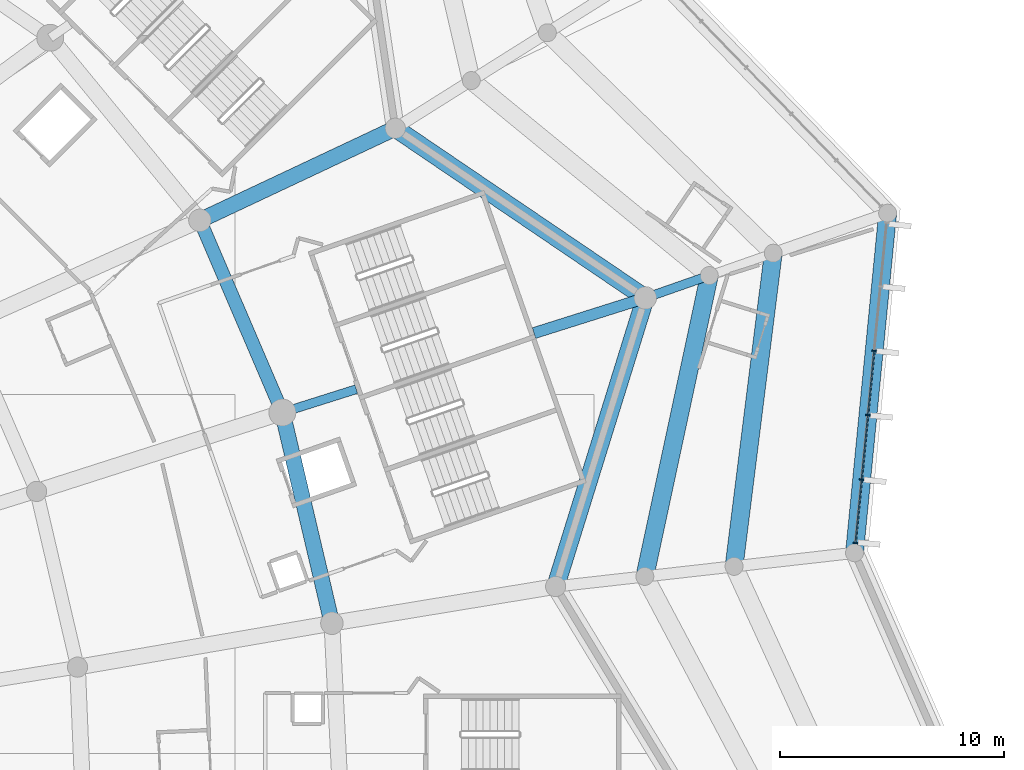
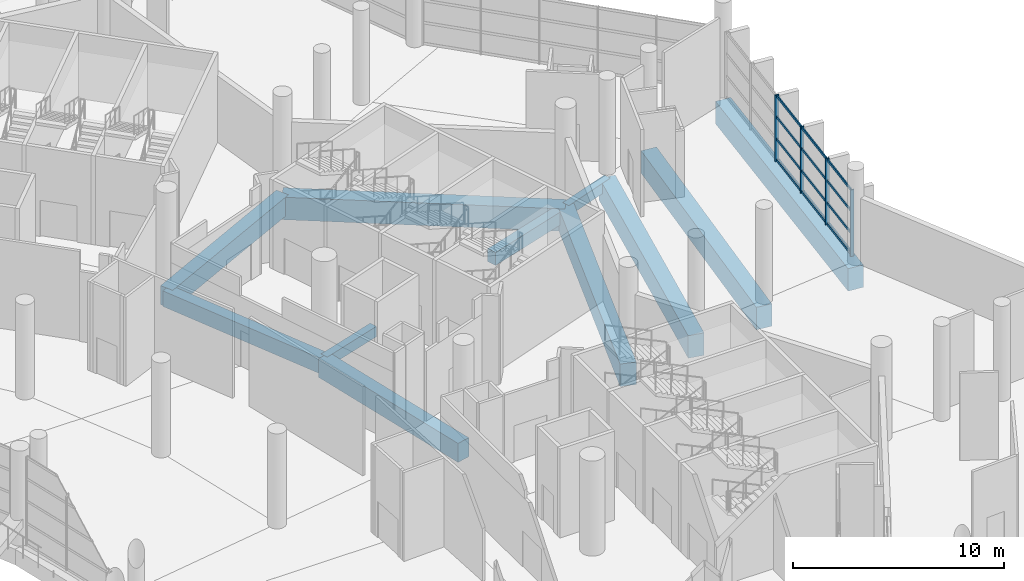
# One storey, part 101 of 271: 16 members, 11 beams, 1 element without a shape of its own.
"""IFC4 building model written with IfcOpenShell, lengths in metres."""

from ifc_helpers import new_model, si_unit, direction, frame, origin, origin_2d, place, context, subcontext, project, spatial, rectangle, extrude, material, layer, layer_set, material_profile, profile_set, type_object, element, aggregate, save


model = new_model("IFC4")

# Units and contexts
model_context = context("Model", 3, precision=1e-05, world=origin(), true_north=direction((0.0, 1.0)))
body_context = subcontext(model_context, "Body", "Model", "MODEL_VIEW")
ifc_project = project(units=[si_unit("LENGTHUNIT", "METRE"), si_unit("AREAUNIT", "SQUARE_METRE"), si_unit("VOLUMEUNIT", "CUBIC_METRE"), si_unit("PLANEANGLEUNIT", "RADIAN"), si_unit("MASSUNIT", "GRAM", prefix="KILO")], contexts=[model_context])

# Site, building, storey
site_placement = place(None, origin())
site = spatial("IfcSite", under=ifc_project, at=site_placement, CompositionType="ELEMENT")
building_placement = place(site_placement, origin())
building = spatial("IfcBuilding", under=site, at=building_placement, Name="Meseta Stadium", CompositionType="ELEMENT")
storey_placement = place(building_placement, frame((0.0, 0.0, 6.5)))
storey = spatial("IfcBuildingStorey", under=building, at=storey_placement, Name="L01", CompositionType="ELEMENT", Elevation=6.5)

# Beams
ifc_material_1 = material(Name="Concrete C40/50", Category="concrete")
ifc_material_profile_1 = material_profile(ifc_material_1, rectangle(XDim=0.39990234375, YDim=0.60009765625, at=origin_2d()), Name="RC 400x600")
ifc_profile_set_1 = profile_set([ifc_material_profile_1], Name="Concrete C40/50")
beam_type_1 = type_object("IfcBeamType", Name="RC beam 400x600", PredefinedType="BEAM", material=ifc_profile_set_1)
beam_1_placement = place(storey_placement, frame((82.119873046875, 63.191162109375, -0.64990234375), z_axis=(0.953578389502, 0.301144907105, 0.0), x_axis=(-0.301144907105, 0.953578389502, 0.0)))
element("IfcBeam", 1, at=beam_1_placement, inside=storey, type_object=beam_type_1, Name="L01 radial beam frame 10 line P to R", PredefinedType="BEAM", context=body_context, shape_type="SweptSolid", body=[
    extrude(rectangle(XDim=0.39990234375, YDim=0.60009765625, at=origin_2d()), origin(), (0.0, 0.0, 1.0), 3.451904296875),
])
beam_2_placement = place(storey_placement, frame((98.291015625, 68.297607421875, -0.64990234375), z_axis=(0.943904999317, 0.33021712897, 0.0), x_axis=(-0.33021712897, 0.943904999317, 0.0)))
element("IfcBeam", 2, at=beam_2_placement, inside=storey, type_object=beam_type_1, Name="L01 radial beam frame 10 line R to M", PredefinedType="BEAM", context=body_context, shape_type="SweptSolid", body=[
    extrude(rectangle(XDim=0.39990234375, YDim=0.60009765625, at=origin_2d()), origin(), (0.0, 0.0, 1.0), 3.018798828125),
])
ifc_material_2 = material(Name="Concrete C40/50", Category="concrete")
ifc_material_profile_2 = material_profile(ifc_material_2, rectangle(XDim=0.5, YDim=0.75, at=origin_2d()), Name="RC 500x750")
ifc_profile_set_2 = profile_set([ifc_material_profile_2], Name="Concrete C40/50")
beam_type_2 = type_object("IfcBeamType", Name="RC beam 500x750", PredefinedType="BEAM", material=ifc_profile_set_2)
beam_3_placement = place(storey_placement, frame((93.330078125, 66.73095703125, -0.72509765625), z_axis=(0.953580537384, 0.301138105728, 0.0), x_axis=(-0.301138105728, 0.953580537384, 0.0)))
element("IfcBeam", 3, at=beam_3_placement, inside=storey, type_object=beam_type_2, Name="L01 radial beam frame 10 line P to R", PredefinedType="BEAM", context=body_context, shape_type="SweptSolid", body=[
    extrude(rectangle(XDim=0.5, YDim=0.75, at=origin_2d()), origin(), (0.0, 0.0, 1.0), 5.202392578125),
])
ifc_material_3 = material(Name="Concrete C40/50", Category="concrete")
ifc_material_profile_3 = material_profile(ifc_material_3, rectangle(XDim=0.60009765625, YDim=0.89990234375, at=origin_2d()), Name="RC 600x900")
ifc_profile_set_3 = profile_set([ifc_material_profile_3], Name="Concrete C40/50")
beam_type_3 = type_object("IfcBeamType", Name="RC beam 600x900", PredefinedType="BEAM", material=ifc_profile_set_3)
beam_4_placement = place(storey_placement, frame((82.119873046875, 63.191162109375, -0.800048828125), z_axis=(-0.394270200779, 0.918994564063, 0.0), x_axis=(-0.918994564063, -0.394270200779, 0.0)))
element("IfcBeam", 4, at=beam_4_placement, inside=storey, type_object=beam_type_3, Name="L01 ring beam frame 10 line P", PredefinedType="BEAM", context=body_context, shape_type="SweptSolid", body=[
    extrude(rectangle(XDim=0.60009765625, YDim=0.89990234375, at=origin_2d()), origin(), (0.0, 0.0, 1.0), 9.31982421875),
])
ifc_material_4 = material(Name="Concrete C40/50", Category="concrete")
ifc_material_profile_4 = material_profile(ifc_material_4, rectangle(XDim=0.699951171875, YDim=1.10009765625, at=origin_2d()), Name="RC 700x1100")
ifc_profile_set_4 = profile_set([ifc_material_profile_4], Name="Concrete C40/50")
beam_type_4 = type_object("IfcBeamType", Name="RC beam 700x1100", PredefinedType="BEAM", material=ifc_profile_set_4)
beam_5_placement = place(storey_placement, frame((84.3251953125, 53.801513671875, -0.89990234375), z_axis=(-0.228645688533, 0.973509706739, 0.0), x_axis=(-0.973509706739, -0.228645688533, 0.0)))
element("IfcBeam", 5, at=beam_5_placement, inside=storey, type_object=beam_type_4, Name="L01 ring beam frame 9 line P", PredefinedType="BEAM", context=body_context, shape_type="SweptSolid", body=[
    extrude(rectangle(XDim=0.699951171875, YDim=1.10009765625, at=origin_2d()), origin(), (0.0, 0.0, 1.0), 9.645263671875),
])
beam_6_placement = place(storey_placement, frame((78.4453125, 71.756103515625, -0.89990234375), z_axis=(0.904664550747, 0.426124454382, 0.0), x_axis=(-0.426124454382, 0.904664550747, 0.0)))
element("IfcBeam", 6, at=beam_6_placement, inside=storey, type_object=beam_type_4, Name="L01 radial beam frame 11 line P to R", PredefinedType="BEAM", context=body_context, shape_type="SweptSolid", body=[
    extrude(rectangle(XDim=0.699951171875, YDim=1.10009765625, at=origin_2d()), origin(), (0.0, 0.0, 1.0), 9.623046875),
])
ifc_material_5 = material(Name="Concrete C40/50", Category="concrete")
ifc_material_profile_5 = material_profile(ifc_material_5, rectangle(XDim=0.800048828125, YDim=1.300048828125, at=origin_2d()), Name="RC 800x1300")
ifc_profile_set_5 = profile_set([ifc_material_profile_5], Name="Concrete C40/50")
beam_type_5 = type_object("IfcBeamType", Name="RC beam 800x1300", PredefinedType="BEAM", material=ifc_profile_set_5)
beam_7_placement = place(storey_placement, frame((94.29443359375, 55.44140625, -1.0), z_axis=(0.296854913016, 0.954922594045, 0.0), x_axis=(-0.954922594045, 0.296854913016, 0.0)))
element("IfcBeam", 7, at=beam_7_placement, inside=storey, type_object=beam_type_5, Name="L01 ring beam frame 9 line R", PredefinedType="BEAM", context=body_context, shape_type="SweptSolid", body=[
    extrude(rectangle(XDim=0.800048828125, YDim=1.300048828125, at=origin_2d()), origin(), (0.0, 0.0, 1.0), 13.463134765625),
])
beam_8_placement = place(storey_placement, frame((98.291015625, 68.297607421875, -1.0), z_axis=(-0.827486005705, 0.561486340317, 0.0), x_axis=(-0.561486340317, -0.827486005705, 0.0)))
element("IfcBeam", 8, at=beam_8_placement, inside=storey, type_object=beam_type_5, Name="L01 ring beam frame 10 line R", PredefinedType="BEAM", context=body_context, shape_type="SweptSolid", body=[
    extrude(rectangle(XDim=0.800048828125, YDim=1.300048828125, at=origin_2d()), origin(), (0.0, 0.0, 1.0), 13.462646484375),
])
beam_9_placement = place(storey_placement, frame((98.269287109375, 55.889404296875, -1.0), z_axis=(0.209430575028, 0.977823518966, 0.0), x_axis=(-0.977823518966, 0.209430575028, 0.0)))
element("IfcBeam", 9, at=beam_9_placement, inside=storey, type_object=beam_type_5, Name="L01 ring beam frame 9 line M", PredefinedType="BEAM", context=body_context, shape_type="SweptSolid", body=[
    extrude(rectangle(XDim=0.800048828125, YDim=1.300048828125, at=origin_2d()), origin(), (0.0, 0.0, 1.0), 13.708984375),
])
beam_10_placement = place(storey_placement, frame((102.244140625, 56.337158203125, -1.0), z_axis=(0.124143703283, 0.99226424955, 0.0), x_axis=(-0.99226424955, 0.124143703283, 0.0)))
element("IfcBeam", 10, at=beam_10_placement, inside=storey, type_object=beam_type_5, Name="L01 ring beam frame 9 line Q", PredefinedType="BEAM", context=body_context, shape_type="SweptSolid", body=[
    extrude(rectangle(XDim=0.800048828125, YDim=1.300048828125, at=origin_2d()), origin(), (0.0, 0.0, 1.0), 14.063232421875),
])
beam_11_placement = place(storey_placement, frame((107.610107421875, 56.94189453125, -1.0), z_axis=(0.097125179524, 0.99527217358, 0.0), x_axis=(-0.99527217358, 0.097125179524, 0.0)))
element("IfcBeam", 11, at=beam_11_placement, inside=storey, type_object=beam_type_5, Name="L01 ring beam frame 9 line O", PredefinedType="BEAM", context=body_context, shape_type="SweptSolid", body=[
    extrude(rectangle(XDim=0.800048828125, YDim=1.300048828125, at=origin_2d()), origin(), (0.0, 0.0, 1.0), 15.205078125),
])

# Curtain wall, members
ifc_material_6 = material(Name="Aluminium", Category="aluminium")
ifc_layer = layer(ifc_material_6, 0.199951171875)
ifc_layer_set = layer_set([ifc_layer], Name="Ring shopfront curtain wall")
curtain_wall_type = type_object("IfcCurtainWallType", Name="Ring shopfront curtain wall", PredefinedType="NOTDEFINED", material=ifc_layer_set)
curtain_wall_placement = place(storey_placement, origin())
curtain_wall = element("IfcCurtainWall", 12, at=curtain_wall_placement, inside=storey, type_object=curtain_wall_type, Name="Ring glazing L01 F09", PredefinedType="NOTDEFINED")
ifc_material_7 = material(Name="Aluminium", Category="aluminium")
ifc_material_profile_6 = material_profile(ifc_material_7, rectangle(XDim=0.199951171875, YDim=0.06005859375, at=origin_2d()), Name="CW 200x60")
ifc_profile_set_6 = profile_set([ifc_material_profile_6], Name="Aluminium")
member_type_1 = type_object("IfcMemberType", Name="Ring CW mullion 60x200", PredefinedType="MULLION", material=ifc_profile_set_6)
member_1_placement = place(storey_placement, frame((107.65185546875, 57.369873046875, 0.0), z_axis=(0.0, 0.0, 1.0), x_axis=(-0.995272228282, 0.097124618973, 0.0)))
member_1 = element("IfcMember", 13, at=member_1_placement, type_object=member_type_1, Name="CWR1 mullion 1", PredefinedType="MULLION", context=body_context, shape_type="SweptSolid", body=[
    extrude(rectangle(XDim=0.199951171875, YDim=0.06005859375, at=origin_2d()), origin(), (0.0, 0.0, 1.0), 3.85009765625),
])
member_2_placement = place(storey_placement, frame((107.9287109375, 60.207275390625, 0.0), z_axis=(0.0, 0.0, 1.0), x_axis=(-0.995272228282, 0.097124618973, 0.0)))
member_2 = element("IfcMember", 14, at=member_2_placement, type_object=member_type_1, Name="CWR1 mullion 2", PredefinedType="MULLION", context=body_context, shape_type="SweptSolid", body=[
    extrude(rectangle(XDim=0.199951171875, YDim=0.06005859375, at=origin_2d()), origin(), (0.0, 0.0, 1.0), 3.85009765625),
])
member_3_placement = place(storey_placement, frame((108.208740234375, 63.07470703125, 0.0), z_axis=(0.0, 0.0, 1.0), x_axis=(-0.995272228282, 0.097124618973, 0.0)))
member_3 = element("IfcMember", 15, at=member_3_placement, type_object=member_type_1, Name="CWR1 mullion 3", PredefinedType="MULLION", context=body_context, shape_type="SweptSolid", body=[
    extrude(rectangle(XDim=0.199951171875, YDim=0.06005859375, at=origin_2d()), origin(), (0.0, 0.0, 1.0), 3.85009765625),
])
member_4_placement = place(storey_placement, frame((108.488525390625, 65.942138671875, 0.0), z_axis=(0.0, 0.0, 1.0), x_axis=(-0.995272228282, 0.097124618973, 0.0)))
member_4 = element("IfcMember", 16, at=member_4_placement, type_object=member_type_1, Name="CWR1 mullion 4", PredefinedType="MULLION", context=body_context, shape_type="SweptSolid", body=[
    extrude(rectangle(XDim=0.199951171875, YDim=0.06005859375, at=origin_2d()), origin(), (0.0, 0.0, 1.0), 3.85009765625),
])
ifc_material_8 = material(Name="Aluminium", Category="aluminium")
ifc_material_profile_7 = material_profile(ifc_material_8, rectangle(XDim=0.06005859375, YDim=0.14990234375, at=origin_2d()), Name="CW 60x150")
ifc_profile_set_7 = profile_set([ifc_material_profile_7], Name="Aluminium")
member_type_2 = type_object("IfcMemberType", Name="Ring CW transom 60x150", PredefinedType="USERDEFINED", material=ifc_profile_set_7)
member_5_placement = place(storey_placement, frame((107.65478515625, 57.399658203125, 0.074951171875), z_axis=(0.097182385377, 0.995266589398, 0.0), x_axis=(-0.995266589398, 0.097182385377, 0.0)))
member_5 = element("IfcMember", 17, at=member_5_placement, type_object=member_type_2, Name="CWR1 transom 1.1", ObjectType="TRANSOM", PredefinedType="USERDEFINED", context=body_context, shape_type="SweptSolid", body=[
    extrude(rectangle(XDim=0.06005859375, YDim=0.14990234375, at=origin_2d()), origin(), (0.0, 0.0, 1.0), 2.791015625),
])
member_6_placement = place(storey_placement, frame((107.65478515625, 57.399658203125, 1.283447265625), z_axis=(0.097182385377, 0.995266589398, 0.0), x_axis=(-0.995266589398, 0.097182385377, 0.0)))
member_6 = element("IfcMember", 18, at=member_6_placement, type_object=member_type_2, Name="CWR1 transom 1.2", ObjectType="TRANSOM", PredefinedType="USERDEFINED", context=body_context, shape_type="SweptSolid", body=[
    extrude(rectangle(XDim=0.06005859375, YDim=0.14990234375, at=origin_2d()), origin(), (0.0, 0.0, 1.0), 2.791015625),
])
member_7_placement = place(storey_placement, frame((107.65478515625, 57.399658203125, 2.566650390625), z_axis=(0.097182385377, 0.995266589398, 0.0), x_axis=(-0.995266589398, 0.097182385377, 0.0)))
member_7 = element("IfcMember", 19, at=member_7_placement, type_object=member_type_2, Name="CWR1 transom 1.3", ObjectType="TRANSOM", PredefinedType="USERDEFINED", context=body_context, shape_type="SweptSolid", body=[
    extrude(rectangle(XDim=0.06005859375, YDim=0.14990234375, at=origin_2d()), origin(), (0.0, 0.0, 1.0), 2.791015625),
])
member_8_placement = place(storey_placement, frame((107.65478515625, 57.399658203125, 3.77490234375), z_axis=(0.097182385377, 0.995266589398, 0.0), x_axis=(-0.995266589398, 0.097182385377, 0.0)))
member_8 = element("IfcMember", 20, at=member_8_placement, type_object=member_type_2, Name="CWR1 transom 1.4", ObjectType="TRANSOM", PredefinedType="USERDEFINED", context=body_context, shape_type="SweptSolid", body=[
    extrude(rectangle(XDim=0.06005859375, YDim=0.14990234375, at=origin_2d()), origin(), (0.0, 0.0, 1.0), 2.791015625),
])
member_9_placement = place(storey_placement, frame((107.931640625, 60.237060546875, 0.074951171875), z_axis=(0.097181503917, 0.995266675468, 0.0), x_axis=(-0.995266675468, 0.097181503917, 0.0)))
member_9 = element("IfcMember", 21, at=member_9_placement, type_object=member_type_2, Name="CWR1 transom 2.1", ObjectType="TRANSOM", PredefinedType="USERDEFINED", context=body_context, shape_type="SweptSolid", body=[
    extrude(rectangle(XDim=0.06005859375, YDim=0.14990234375, at=origin_2d()), origin(), (0.0, 0.0, 1.0), 2.8212890625),
])
member_10_placement = place(storey_placement, frame((107.931640625, 60.237060546875, 1.283447265625), z_axis=(0.097181503917, 0.995266675468, 0.0), x_axis=(-0.995266675468, 0.097181503917, 0.0)))
member_10 = element("IfcMember", 22, at=member_10_placement, type_object=member_type_2, Name="CWR1 transom 2.2", ObjectType="TRANSOM", PredefinedType="USERDEFINED", context=body_context, shape_type="SweptSolid", body=[
    extrude(rectangle(XDim=0.06005859375, YDim=0.14990234375, at=origin_2d()), origin(), (0.0, 0.0, 1.0), 2.8212890625),
])
member_11_placement = place(storey_placement, frame((107.931640625, 60.237060546875, 2.566650390625), z_axis=(0.097181503917, 0.995266675468, 0.0), x_axis=(-0.995266675468, 0.097181503917, 0.0)))
member_11 = element("IfcMember", 23, at=member_11_placement, type_object=member_type_2, Name="CWR1 transom 2.3", ObjectType="TRANSOM", PredefinedType="USERDEFINED", context=body_context, shape_type="SweptSolid", body=[
    extrude(rectangle(XDim=0.06005859375, YDim=0.14990234375, at=origin_2d()), origin(), (0.0, 0.0, 1.0), 2.8212890625),
])
member_12_placement = place(storey_placement, frame((107.931640625, 60.237060546875, 3.77490234375), z_axis=(0.097181503917, 0.995266675468, 0.0), x_axis=(-0.995266675468, 0.097181503917, 0.0)))
member_12 = element("IfcMember", 24, at=member_12_placement, type_object=member_type_2, Name="CWR1 transom 2.4", ObjectType="TRANSOM", PredefinedType="USERDEFINED", context=body_context, shape_type="SweptSolid", body=[
    extrude(rectangle(XDim=0.06005859375, YDim=0.14990234375, at=origin_2d()), origin(), (0.0, 0.0, 1.0), 2.8212890625),
])
member_13_placement = place(storey_placement, frame((108.211669921875, 63.1044921875, 0.074951171875), z_axis=(0.097095782713, 0.995275041875, 0.0), x_axis=(-0.995275041875, 0.097095782713, 0.0)))
member_13 = element("IfcMember", 25, at=member_13_placement, type_object=member_type_2, Name="CWR1 transom 3.1", ObjectType="TRANSOM", PredefinedType="USERDEFINED", context=body_context, shape_type="SweptSolid", body=[
    extrude(rectangle(XDim=0.06005859375, YDim=0.14990234375, at=origin_2d()), origin(), (0.0, 0.0, 1.0), 2.8212890625),
])
member_14_placement = place(storey_placement, frame((108.211669921875, 63.1044921875, 1.283447265625), z_axis=(0.097095782713, 0.995275041875, 0.0), x_axis=(-0.995275041875, 0.097095782713, 0.0)))
member_14 = element("IfcMember", 26, at=member_14_placement, type_object=member_type_2, Name="CWR1 transom 3.2", ObjectType="TRANSOM", PredefinedType="USERDEFINED", context=body_context, shape_type="SweptSolid", body=[
    extrude(rectangle(XDim=0.06005859375, YDim=0.14990234375, at=origin_2d()), origin(), (0.0, 0.0, 1.0), 2.8212890625),
])
member_15_placement = place(storey_placement, frame((108.211669921875, 63.1044921875, 2.566650390625), z_axis=(0.097095782713, 0.995275041875, 0.0), x_axis=(-0.995275041875, 0.097095782713, 0.0)))
member_15 = element("IfcMember", 27, at=member_15_placement, type_object=member_type_2, Name="CWR1 transom 3.3", ObjectType="TRANSOM", PredefinedType="USERDEFINED", context=body_context, shape_type="SweptSolid", body=[
    extrude(rectangle(XDim=0.06005859375, YDim=0.14990234375, at=origin_2d()), origin(), (0.0, 0.0, 1.0), 2.8212890625),
])
member_16_placement = place(storey_placement, frame((108.211669921875, 63.1044921875, 3.77490234375), z_axis=(0.097095782713, 0.995275041875, 0.0), x_axis=(-0.995275041875, 0.097095782713, 0.0)))
member_16 = element("IfcMember", 28, at=member_16_placement, type_object=member_type_2, Name="CWR1 transom 3.4", ObjectType="TRANSOM", PredefinedType="USERDEFINED", context=body_context, shape_type="SweptSolid", body=[
    extrude(rectangle(XDim=0.06005859375, YDim=0.14990234375, at=origin_2d()), origin(), (0.0, 0.0, 1.0), 2.8212890625),
])
aggregate(curtain_wall, [member_1, member_2, member_3, member_4, member_5, member_6, member_7, member_8, member_9, member_10, member_11, member_12, member_13, member_14, member_15, member_16])

save(model, "model.ifc")
